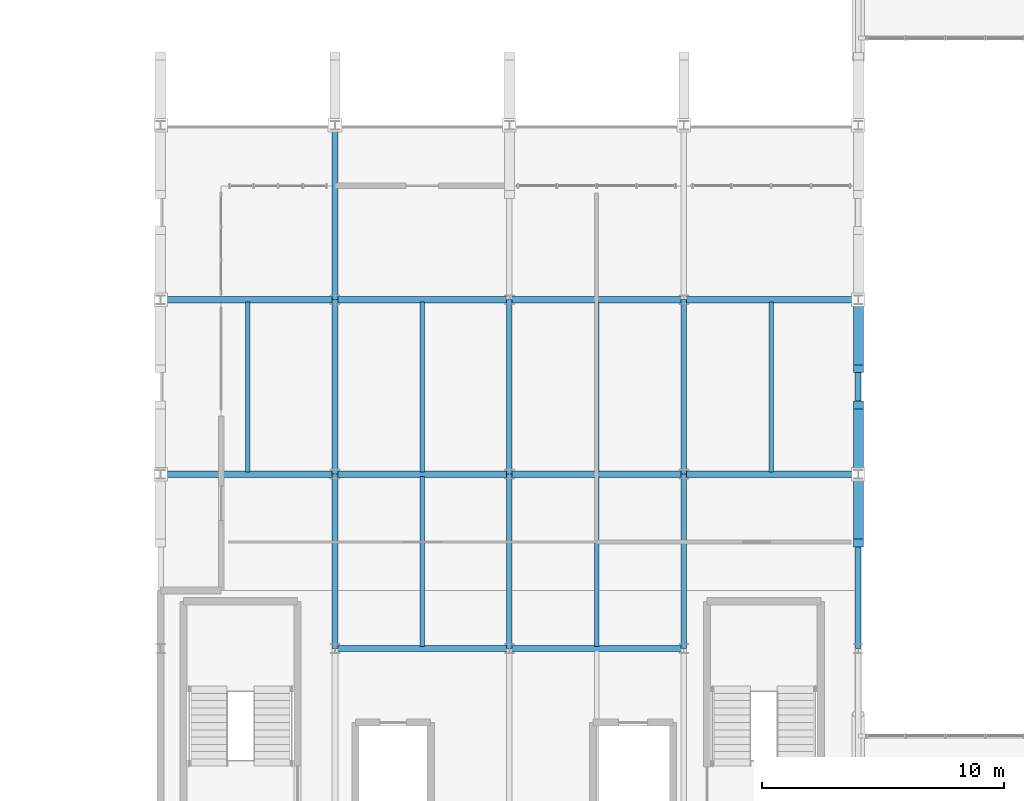
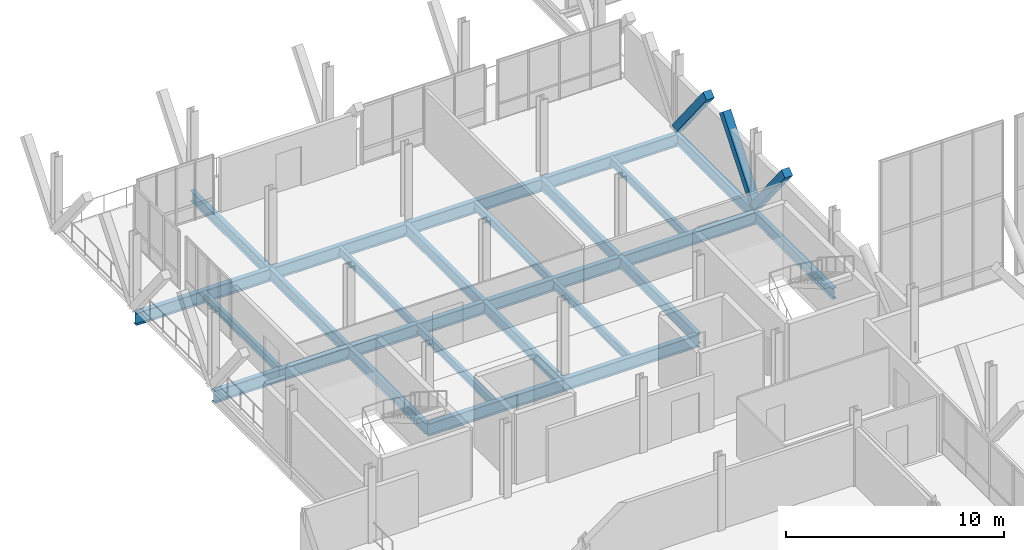
# One storey, part 36 of 102: 25 beams, 3 members.
"""IFC4 building model written with IfcOpenShell, lengths in metres."""

from ifc_helpers import new_model, si_unit, direction, frame, origin, origin_2d, place, context, subcontext, project, spatial, rectangle, i_section, extrude, material, material_profile, profile_set, type_object, element, save


model = new_model("IFC4")

# Units and contexts
model_context = context("Model", 3, precision=1e-05, world=origin(), true_north=direction((0.0, 1.0)))
body_context = subcontext(model_context, "Body", "Model", "MODEL_VIEW")
ifc_project = project(units=[si_unit("LENGTHUNIT", "METRE"), si_unit("AREAUNIT", "SQUARE_METRE"), si_unit("VOLUMEUNIT", "CUBIC_METRE"), si_unit("PLANEANGLEUNIT", "RADIAN"), si_unit("MASSUNIT", "GRAM", prefix="KILO")], contexts=[model_context])

# Site, building, storey
site_placement = place(None, origin())
site = spatial("IfcSite", under=ifc_project, at=site_placement, CompositionType="ELEMENT")
building_placement = place(site_placement, origin())
building = spatial("IfcBuilding", under=site, at=building_placement, Name="Yarey Park Central Fire Station", CompositionType="ELEMENT")
storey_placement = place(building_placement, frame((0.0, 0.0, 6.0)))
storey = spatial("IfcBuildingStorey", under=building, at=storey_placement, Name="L02", CompositionType="ELEMENT", Elevation=6.0)

# Beams
ifc_material_1 = material(Name="Steel ASTM A992 Gr. 50", Category="steel")
ifc_material_profile_1 = material_profile(ifc_material_1, i_section(OverallWidth=0.22900390625, OverallDepth=0.612060546875, WebThickness=0.011962890625, FlangeThickness=0.01953125, at=origin_2d()), Name="W610x125")
ifc_profile_set_1 = profile_set([ifc_material_profile_1], Name="Steel ASTM A992 Gr. 50")
beam_type_1 = type_object("IfcBeamType", Name="STR_BM_W610", PredefinedType="BEAM", material=ifc_profile_set_1)
for number, where, z_axis, x_axis, name in (
    (1, (36.0, 64.800048828125, -0.591064453125), (0.0, 1.0, 0.0), (-1.0, 0.0, 0.0), "BMY L02 X360 Y648"),
    (2, (36.0, 72.0, -0.591064453125), (0.0, 1.0, 0.0), (-1.0, 0.0, 0.0), "BMY L02 X360 Y720"),
    (3, (36.0, 79.199951171875, -0.591064453125), (0.0, 1.0, 0.0), (-1.0, 0.0, 0.0), "BMY L02 X360 Y792"),
    (4, (43.199951171875, 64.800048828125, -0.591064453125), (0.0, 1.0, 0.0), (-1.0, 0.0, 0.0), "BMY L02 X432 Y648"),
    (5, (43.199951171875, 72.0, -0.591064453125), (0.0, 1.0, 0.0), (-1.0, 0.0, 0.0), "BMY L02 X432 Y720"),
    (6, (50.39990234375, 64.800048828125, -0.591064453125), (0.0, 1.0, 0.0), (-1.0, 0.0, 0.0), "BMY L02 X504 Y648"),
    (7, (50.39990234375, 72.0, -0.591064453125), (0.0, 1.0, 0.0), (-1.0, 0.0, 0.0), "BMY L02 X504 Y720"),
    (8, (57.60009765625, 64.800048828125, -0.591064453125), (0.0, 1.0, 0.0), (-1.0, 0.0, 0.0), "BMY L02 X576 Y648"),
    (9, (57.60009765625, 72.0, -0.591064453125), (0.0, 1.0, 0.0), (-1.0, 0.0, 0.0), "BMY L02 X576 Y720"),
):
    element("IfcBeam", number, at=place(storey_placement, frame(where, z_axis=z_axis, x_axis=x_axis)), inside=storey, type_object=beam_type_1, Name=name, PredefinedType="BEAM", context=body_context, shape_type="SweptSolid", body=[
        extrude(i_section(OverallWidth=0.22900390625, OverallDepth=0.612060546875, WebThickness=0.011962890625, FlangeThickness=0.01953125, at=origin_2d()), origin(), (0.0, 0.0, 1.0), 7.199951171875),
    ])
ifc_material_profile_2 = material_profile(ifc_material_1, i_section(OverallWidth=0.256103515625, OverallDepth=0.693115234375, WebThickness=0.014404296875, FlangeThickness=0.023681640625, at=origin_2d()), Name="W690x170")
ifc_profile_set_2 = profile_set([ifc_material_profile_2], Name="Steel ASTM A992 Gr. 50")
beam_type_2 = type_object("IfcBeamType", Name="STR_BM_W690", PredefinedType="BEAM", material=ifc_profile_set_2)
for number, where, z_axis, x_axis, name in (
    (10, (36.0, 64.800048828125, -0.631591796875), (1.0, 0.0, 0.0), (0.0, 1.0, 0.0), "BMX L02 Y648 X360"),
    (11, (43.199951171875, 64.800048828125, -0.631591796875), (1.0, 0.0, 0.0), (0.0, 1.0, 0.0), "BMX L02 Y648 X432"),
    (12, (28.800048828125, 72.0, -0.631591796875), (1.0, 0.0, 0.0), (0.0, 1.0, 0.0), "BMX L02 Y720 X288"),
    (13, (36.0, 72.0, -0.631591796875), (1.0, 0.0, 0.0), (0.0, 1.0, 0.0), "BMX L02 Y720 X360"),
    (14, (43.199951171875, 72.0, -0.631591796875), (1.0, 0.0, 0.0), (0.0, 1.0, 0.0), "BMX L02 Y720 X432"),
):
    element("IfcBeam", number, at=place(storey_placement, frame(where, z_axis=z_axis, x_axis=x_axis)), inside=storey, type_object=beam_type_2, Name=name, PredefinedType="BEAM", context=body_context, shape_type="SweptSolid", body=[
        extrude(i_section(OverallWidth=0.256103515625, OverallDepth=0.693115234375, WebThickness=0.014404296875, FlangeThickness=0.023681640625, at=origin_2d()), origin(), (0.0, 0.0, 1.0), 7.199951171875),
    ])
beam_1_placement = place(storey_placement, frame((50.39990234375, 72.0, -0.631591796875), z_axis=(1.0, 0.0, 0.0), x_axis=(0.0, 1.0, 0.0)))
element("IfcBeam", 15, at=beam_1_placement, inside=storey, type_object=beam_type_2, Name="BMX L02 Y720 X504", PredefinedType="BEAM", context=body_context, shape_type="SweptSolid", body=[
    extrude(i_section(OverallWidth=0.256103515625, OverallDepth=0.693115234375, WebThickness=0.014404296875, FlangeThickness=0.023681640625, at=origin_2d()), origin(), (0.0, 0.0, 1.0), 7.2001953125),
])
for number, where, z_axis, x_axis, name in (
    (16, (28.800048828125, 79.199951171875, -0.631591796875), (1.0, 0.0, 0.0), (0.0, 1.0, 0.0), "BMX L02 Y792 X288"),
    (17, (36.0, 79.199951171875, -0.631591796875), (1.0, 0.0, 0.0), (0.0, 1.0, 0.0), "BMX L02 Y792 X360"),
    (18, (43.199951171875, 79.199951171875, -0.631591796875), (1.0, 0.0, 0.0), (0.0, 1.0, 0.0), "BMX L02 Y792 X432"),
):
    element("IfcBeam", number, at=place(storey_placement, frame(where, z_axis=z_axis, x_axis=x_axis)), inside=storey, type_object=beam_type_2, Name=name, PredefinedType="BEAM", context=body_context, shape_type="SweptSolid", body=[
        extrude(i_section(OverallWidth=0.256103515625, OverallDepth=0.693115234375, WebThickness=0.014404296875, FlangeThickness=0.023681640625, at=origin_2d()), origin(), (0.0, 0.0, 1.0), 7.199951171875),
    ])
beam_2_placement = place(storey_placement, frame((50.39990234375, 79.199951171875, -0.631591796875), z_axis=(1.0, 0.0, 0.0), x_axis=(0.0, 1.0, 0.0)))
element("IfcBeam", 19, at=beam_2_placement, inside=storey, type_object=beam_type_2, Name="BMX L02 Y792 X504", PredefinedType="BEAM", context=body_context, shape_type="SweptSolid", body=[
    extrude(i_section(OverallWidth=0.256103515625, OverallDepth=0.693115234375, WebThickness=0.014404296875, FlangeThickness=0.023681640625, at=origin_2d()), origin(), (0.0, 0.0, 1.0), 7.2001953125),
])
ifc_material_profile_3 = material_profile(ifc_material_1, i_section(OverallWidth=0.18994140625, OverallDepth=0.45703125, WebThickness=0.009033203125, FlangeThickness=0.014404296875, at=origin_2d()), Name="W460x74")
ifc_profile_set_3 = profile_set([ifc_material_profile_3], Name="Steel ASTM A992 Gr. 50")
beam_type_3 = type_object("IfcBeamType", Name="STR_JST_W460", PredefinedType="JOIST", material=ifc_profile_set_3)
for number, where, z_axis, x_axis, name in (
    (20, (32.39990234375, 72.094970703125, -0.513427734375), (0.0, 1.0, 0.0), (-1.0, 0.0, 0.0), "JST L02 X324 Y720"),
    (21, (39.60009765625, 64.89501953125, -0.513427734375), (0.0, 1.0, 0.0), (-1.0, 0.0, 0.0), "JST L02 X396 Y648"),
    (22, (39.60009765625, 72.094970703125, -0.513427734375), (0.0, 1.0, 0.0), (-1.0, 0.0, 0.0), "JST L02 X396 Y720"),
    (23, (46.800048828125, 64.89501953125, -0.513427734375), (0.0, 1.0, 0.0), (-1.0, 0.0, 0.0), "JST L02 X468 Y648"),
    (24, (46.800048828125, 72.094970703125, -0.513427734375), (0.0, 1.0, 0.0), (-1.0, 0.0, 0.0), "JST L02 X468 Y720"),
    (25, (54.0, 72.094970703125, -0.513427734375), (0.0, 1.0, 0.0), (-1.0, 0.0, 0.0), "JST L02 X540 Y720"),
):
    element("IfcBeam", number, at=place(storey_placement, frame(where, z_axis=z_axis, x_axis=x_axis)), inside=storey, type_object=beam_type_3, Name=name, PredefinedType="JOIST", context=body_context, shape_type="SweptSolid", body=[
        extrude(i_section(OverallWidth=0.18994140625, OverallDepth=0.45703125, WebThickness=0.009033203125, FlangeThickness=0.014404296875, at=origin_2d()), origin(), (0.0, 0.0, 1.0), 7.010009765625),
    ])

# Members
ifc_material_2 = material(Name="Glulam GL28h", Category="wood")
ifc_material_profile_4 = material_profile(ifc_material_2, rectangle(XDim=0.419921875, YDim=0.419921875, at=origin_2d()), Name="GL 420x420")
ifc_profile_set_4 = profile_set([ifc_material_profile_4], Name="Glulam GL28h")
member_type = type_object("IfcMemberType", Name="STR_STRUT_GL420", PredefinedType="STRUT", material=ifc_profile_set_4)
for number, where, z_axis, x_axis, name in (
    (26, (57.60009765625, 72.0, -0.02001953125), (0.0, 0.623899588473, 0.781504512785), (-1.0, 0.0, 0.0), "Raked Glulam Strut RGS-73"),
    (27, (57.60009765625, 72.0, -0.02001953125), (0.0, -0.623899588473, 0.781504512785), (1.0, 0.0, 0.0), "Raked Glulam Strut RGS-74"),
    (28, (57.60009765625, 79.199951171875, -0.02001953125), (0.0, -0.623866946252, 0.781530570979), (1.0, 0.0, 0.0), "Raked Glulam Strut RGS-76"),
):
    element("IfcMember", number, at=place(storey_placement, frame(where, z_axis=z_axis, x_axis=x_axis)), inside=storey, type_object=member_type, Name=name, PredefinedType="STRUT", context=body_context, shape_type="SweptSolid", body=[
        extrude(rectangle(XDim=0.419921875, YDim=0.419921875, at=origin_2d()), origin(), (0.0, 0.0, 1.0), 4.568115234375),
    ])

save(model, "model.ifc")
